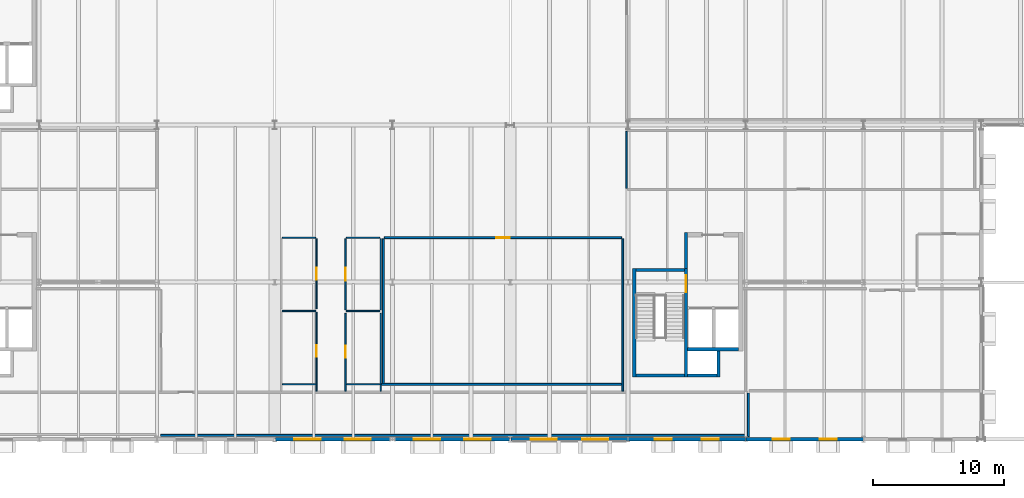
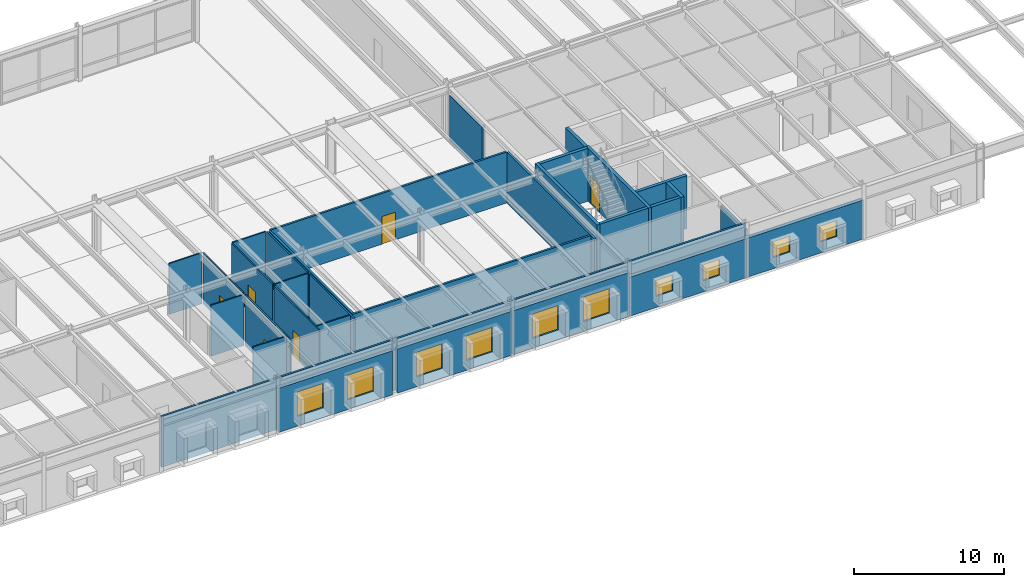
# One storey, part 105 of 115: 32 walls, 10 windows, 6 doors, 16 openings.
"""IFC4 building model written with IfcOpenShell, lengths in metres."""

from ifc_helpers import new_model, si_unit, direction, frame, frame_2d, origin, place, context, subcontext, project, spatial, rectangle, extrude, material, layer, layer_set, type_object, element, fill, save


model = new_model("IFC4")

# Units and contexts
model_context = context("Model", 3, precision=1e-05, world=origin(), true_north=direction((0.0, 1.0)))
body_context = subcontext(model_context, "Body", "Model", "MODEL_VIEW")
ifc_project = project(units=[si_unit("LENGTHUNIT", "METRE"), si_unit("AREAUNIT", "SQUARE_METRE"), si_unit("VOLUMEUNIT", "CUBIC_METRE"), si_unit("PLANEANGLEUNIT", "RADIAN"), si_unit("MASSUNIT", "GRAM", prefix="KILO")], contexts=[model_context])

# Site, building, storey
site_placement = place(None, origin())
site = spatial("IfcSite", under=ifc_project, at=site_placement, CompositionType="ELEMENT")
building_placement = place(site_placement, origin())
building = spatial("IfcBuilding", under=site, at=building_placement, Name="Montelvaro Courts of Justice", CompositionType="ELEMENT")
storey_placement = place(building_placement, frame((0.0, 0.0, 9.89990234375)))
storey = spatial("IfcBuildingStorey", under=building, at=storey_placement, Name="L02", CompositionType="ELEMENT", Elevation=9.89990234375)

# Walls
ifc_material_1 = material(Name="Gypsum board on metal stud")
ifc_layer_1 = layer(ifc_material_1, 0.14990234375)
ifc_layer_set_1 = layer_set([ifc_layer_1], Name="Gypsum board on metal stud")
wall_type_1 = type_object("IfcWallType", Name="ChambersPartition_150", PredefinedType="PARTITIONING", material=ifc_layer_set_1)
wall_1_placement = place(storey_placement, frame((117.199951171875, 3.52001953125, 0.0), z_axis=(0.0, 0.0, 1.0), x_axis=(0.0, -1.0, 0.0)))
element("IfcWall", 1, at=wall_1_placement, inside=storey, type_object=wall_type_1, Name="Interior Partition IW-04 (L02)", PredefinedType="PARTITIONING", context=body_context, shape_type="SweptSolid", body=[
    extrude(rectangle(XDim=3.322021484375, YDim=0.14990234375, at=frame_2d((1.6611328125, 0.0))), origin(), (0.0, 0.0, 1.0), 3.625),
])
wall_2_placement = place(storey_placement, frame((117.19189453125, 0.300048828125, 0.0), z_axis=(0.0, 0.0, 1.0), x_axis=(-1.0, 0.0, 0.0)))
element("IfcWall", 2, at=wall_2_placement, inside=storey, type_object=wall_type_1, Name="Interior Partition IW-04 (L02)", PredefinedType="PARTITIONING", context=body_context, shape_type="SweptSolid", body=[
    extrude(rectangle(XDim=44.912841796875, YDim=0.14990234375, at=frame_2d((22.45654296875, 0.0))), origin(), (0.0, 0.0, 1.0), 4.14013671875),
])
wall_3_placement = place(storey_placement, frame((107.60009765625, 15.320068359375, 0.0), z_axis=(0.0, 0.0, 1.0), x_axis=(0.0, -1.0, 0.0)))
element("IfcWall", 3, at=wall_3_placement, inside=storey, type_object=wall_type_1, Name="Interior Partition IW-04 (L02)", PredefinedType="PARTITIONING", context=body_context, shape_type="SweptSolid", body=[
    extrude(rectangle(XDim=11.650146484375, YDim=0.14990234375, at=frame_2d((5.8251953125, 0.0))), origin(), (0.0, 0.0, 1.0), 4.14013671875),
])
wall_4_placement = place(storey_placement, frame((107.530029296875, 4.199951171875, 0.0), z_axis=(0.0, 0.0, 1.0), x_axis=(-1.0, 0.0, 0.0)))
element("IfcWall", 4, at=wall_4_placement, inside=storey, type_object=wall_type_1, Name="Interior Partition IW-04 (L02)", PredefinedType="PARTITIONING", context=body_context, shape_type="SweptSolid", body=[
    extrude(rectangle(XDim=18.385009765625, YDim=0.14990234375, at=frame_2d((9.1923828125, 0.0))), origin(), (0.0, 0.0, 1.0), 4.14013671875),
])
wall_5_placement = place(storey_placement, frame((89.300048828125, 4.27001953125, 0.0), z_axis=(0.0, 0.0, 1.0), x_axis=(0.0, 1.0, 0.0)))
element("IfcWall", 5, at=wall_5_placement, inside=storey, type_object=wall_type_1, Name="Interior Partition IW-04 (L02)", PredefinedType="PARTITIONING", context=body_context, shape_type="SweptSolid", body=[
    extrude(rectangle(XDim=11.050048828125, YDim=0.14990234375, at=frame_2d((5.52490234375, 0.0))), origin(), (0.0, 0.0, 1.0), 4.14013671875),
])

# Wall, opening, door
wall_6_placement = place(storey_placement, frame((89.3798828125, 15.39990234375, 0.0), z_axis=(0.0, 0.0, 1.0), x_axis=(1.0, 0.0, 0.0)))
wall_6 = element("IfcWall", 6, at=wall_6_placement, inside=storey, type_object=wall_type_1, Name="Interior Partition IW-04 (L02)", PredefinedType="PARTITIONING", context=body_context, shape_type="SweptSolid", body=[
    extrude(rectangle(XDim=18.14013671875, YDim=0.14990234375, at=frame_2d((9.070068359375, 0.0))), origin(), (0.0, 0.0, 1.0), 4.14013671875),
])
opening_1_placement = place(wall_6_placement, frame((8.544921875, 0.0, 0.0)))
opening_1 = element("IfcOpeningElement", 7, at=opening_1_placement, cuts=wall_6, Name="Opening D-L02-106", PredefinedType="OPENING", context=body_context, shape_type="SweptSolid", body=[
    extrude(rectangle(XDim=1.050048828125, YDim=2.25, at=frame_2d((0.52490234375, 1.125))), frame((0.0, 0.08984375, 0.0), z_axis=(0.0, -1.0, 0.0), x_axis=(1.0, 0.0, 0.0)), (0.0, 0.0, 1.0), 0.1796875),
])
ifc_material_2 = material(Name="Acoustic oak timber veneer", Category="wood")
door_type_1 = type_object("IfcDoorType", Name="ChamberDoor_105x225", OperationType="NOTDEFINED", PredefinedType="DOOR", material=ifc_material_2)
door_1_placement = place(opening_1_placement, origin())
door_1 = element("IfcDoor", 8, at=door_1_placement, inside=storey, type_object=door_type_1, Name="Interior Door D-L02-106 (Civil Deliberation Room L02)", OperationType="SINGLE_SWING_LEFT", OverallHeight=2.25, OverallWidth=1.050048828125, PredefinedType="DOOR", context=body_context, shape_type="SweptSolid", body=[
    extrude(rectangle(XDim=1.050048828125, YDim=2.25, at=frame_2d((0.52490234375, 1.125))), frame((0.0, 0.02490234375, 0.0), z_axis=(0.0, -1.0, 0.0), x_axis=(1.0, 0.0, 0.0)), (0.0, 0.0, 1.0), 0.050048828125),
])
fill(opening_1, door_1)

# Wall, openings, windows
ifc_material_3 = material(Name="White mineral precast concrete C45/55", Category="concrete")
ifc_layer_2 = layer(ifc_material_3, 0.300048828125)
ifc_layer_set_2 = layer_set([ifc_layer_2], Name="White mineral precast concrete C45/55")
wall_type_2 = type_object("IfcWallType", Name="ExtWall_GFRC_300", PredefinedType="SOLIDWALL", material=ifc_layer_set_2)
wall_7_placement = place(storey_placement, frame((81.05810546875, 0.0, 0.0), z_axis=(0.0, 0.0, 1.0), x_axis=(1.0, 0.0, 0.0)))
wall_7 = element("IfcWall", 9, at=wall_7_placement, inside=storey, type_object=wall_type_2, Name="Exterior Facade Wall EW-02 (L02)", PredefinedType="SOLIDWALL", context=body_context, shape_type="SweptSolid", body=[
    extrude(rectangle(XDim=8.743896484375, YDim=0.300048828125, at=frame_2d((4.3720703125, 0.0))), origin(), (0.0, 0.0, 1.0), 3.585205078125),
])
opening_2_placement = place(wall_7_placement, frame((1.447998046875, 0.0, 0.800048828125)))
opening_2 = element("IfcOpeningElement", 10, at=opening_2_placement, cuts=wall_7, Name="Opening WE-11", PredefinedType="OPENING", context=body_context, shape_type="SweptSolid", body=[
    extrude(rectangle(XDim=2.0, YDim=2.0, at=frame_2d((1.0, 1.0))), frame((0.0, 0.1650390625, 0.0), z_axis=(0.0, -1.0, 0.0), x_axis=(1.0, 0.0, 0.0)), (0.0, 0.0, 1.0), 0.329833984375),
])
opening_3_placement = place(wall_7_placement, frame((5.2958984375, 0.0, 0.800048828125)))
opening_3 = element("IfcOpeningElement", 11, at=opening_3_placement, cuts=wall_7, Name="Opening WE-11", PredefinedType="OPENING", context=body_context, shape_type="SweptSolid", body=[
    extrude(rectangle(XDim=2.0, YDim=2.0, at=frame_2d((1.0, 1.0))), frame((0.0, 0.1650390625, 0.0), z_axis=(0.0, -1.0, 0.0), x_axis=(1.0, 0.0, 0.0)), (0.0, 0.0, 1.0), 0.329833984375),
])
ifc_material_4 = material(Name="Low-E solar control double glazing", Category="glass")
window_type_1 = type_object("IfcWindowType", Name="Win_Sq_200x200", PartitioningType="SINGLE_PANEL", PredefinedType="WINDOW", material=ifc_material_4)
window_1_placement = place(opening_2_placement, origin())
window_1 = element("IfcWindow", 12, at=window_1_placement, inside=storey, type_object=window_type_1, Name="Window W-L02-121", OverallHeight=2.0, OverallWidth=2.0, PartitioningType="SINGLE_PANEL", PredefinedType="WINDOW", context=body_context, shape_type="SweptSolid", body=[
    extrude(rectangle(XDim=2.0, YDim=2.0, at=frame_2d((1.0, 1.0))), frame((0.0, 0.030029296875, 0.0), z_axis=(0.0, -1.0, 0.0), x_axis=(1.0, 0.0, 0.0)), (0.0, 0.0, 1.0), 0.06005859375),
])
fill(opening_2, window_1)
window_2_placement = place(opening_3_placement, origin())
window_2 = element("IfcWindow", 13, at=window_2_placement, inside=storey, type_object=window_type_1, Name="Window W-L02-122", OverallHeight=2.0, OverallWidth=2.0, PartitioningType="SINGLE_PANEL", PredefinedType="WINDOW", context=body_context, shape_type="SweptSolid", body=[
    extrude(rectangle(XDim=2.0, YDim=2.0, at=frame_2d((1.0, 1.0))), frame((0.0, 0.030029296875, 0.0), z_axis=(0.0, -1.0, 0.0), x_axis=(1.0, 0.0, 0.0)), (0.0, 0.0, 1.0), 0.06005859375),
])
fill(opening_3, window_2)

wall_8_placement = place(storey_placement, frame((90.197998046875, 0.0, 0.0), z_axis=(0.0, 0.0, 1.0), x_axis=(1.0, 0.0, 0.0)))
wall_8 = element("IfcWall", 14, at=wall_8_placement, inside=storey, type_object=wall_type_2, Name="Exterior Facade Wall EW-02 (L02)", PredefinedType="SOLIDWALL", context=body_context, shape_type="SweptSolid", body=[
    extrude(rectangle(XDim=8.743896484375, YDim=0.300048828125, at=frame_2d((4.3720703125, 0.0))), origin(), (0.0, 0.0, 1.0), 3.585205078125),
])
opening_4_placement = place(wall_8_placement, frame((1.447998046875, 0.0, 0.800048828125)))
opening_4 = element("IfcOpeningElement", 15, at=opening_4_placement, cuts=wall_8, Name="Opening WE-11", PredefinedType="OPENING", context=body_context, shape_type="SweptSolid", body=[
    extrude(rectangle(XDim=2.0, YDim=2.0, at=frame_2d((1.0, 1.0))), frame((0.0, 0.1650390625, 0.0), z_axis=(0.0, -1.0, 0.0), x_axis=(1.0, 0.0, 0.0)), (0.0, 0.0, 1.0), 0.329833984375),
])
opening_5_placement = place(wall_8_placement, frame((5.2958984375, 0.0, 0.800048828125)))
opening_5 = element("IfcOpeningElement", 16, at=opening_5_placement, cuts=wall_8, Name="Opening WE-11", PredefinedType="OPENING", context=body_context, shape_type="SweptSolid", body=[
    extrude(rectangle(XDim=2.0, YDim=2.0, at=frame_2d((1.0, 1.0))), frame((0.0, 0.1650390625, 0.0), z_axis=(0.0, -1.0, 0.0), x_axis=(1.0, 0.0, 0.0)), (0.0, 0.0, 1.0), 0.329833984375),
])
window_3_placement = place(opening_4_placement, origin())
window_3 = element("IfcWindow", 17, at=window_3_placement, inside=storey, type_object=window_type_1, Name="Window W-L02-123", OverallHeight=2.0, OverallWidth=2.0, PartitioningType="SINGLE_PANEL", PredefinedType="WINDOW", context=body_context, shape_type="SweptSolid", body=[
    extrude(rectangle(XDim=2.0, YDim=2.0, at=frame_2d((1.0, 1.0))), frame((0.0, 0.030029296875, 0.0), z_axis=(0.0, -1.0, 0.0), x_axis=(1.0, 0.0, 0.0)), (0.0, 0.0, 1.0), 0.06005859375),
])
fill(opening_4, window_3)
window_4_placement = place(opening_5_placement, origin())
window_4 = element("IfcWindow", 18, at=window_4_placement, inside=storey, type_object=window_type_1, Name="Window W-L02-124", OverallHeight=2.0, OverallWidth=2.0, PartitioningType="SINGLE_PANEL", PredefinedType="WINDOW", context=body_context, shape_type="SweptSolid", body=[
    extrude(rectangle(XDim=2.0, YDim=2.0, at=frame_2d((1.0, 1.0))), frame((0.0, 0.030029296875, 0.0), z_axis=(0.0, -1.0, 0.0), x_axis=(1.0, 0.0, 0.0)), (0.0, 0.0, 1.0), 0.06005859375),
])
fill(opening_5, window_4)

wall_9_placement = place(storey_placement, frame((99.05810546875, 0.0, 0.0), z_axis=(0.0, 0.0, 1.0), x_axis=(1.0, 0.0, 0.0)))
wall_9 = element("IfcWall", 19, at=wall_9_placement, inside=storey, type_object=wall_type_2, Name="Exterior Facade Wall EW-02 (L02)", PredefinedType="SOLIDWALL", context=body_context, shape_type="SweptSolid", body=[
    extrude(rectangle(XDim=8.933837890625, YDim=0.300048828125, at=frame_2d((4.466796875, 0.0))), origin(), (0.0, 0.0, 1.0), 3.585205078125),
])
opening_6_placement = place(wall_9_placement, frame((1.501953125, 0.0, 0.800048828125)))
opening_6 = element("IfcOpeningElement", 20, at=opening_6_placement, cuts=wall_9, Name="Opening WE-11", PredefinedType="OPENING", context=body_context, shape_type="SweptSolid", body=[
    extrude(rectangle(XDim=2.0, YDim=2.0, at=frame_2d((1.0, 1.0))), frame((0.0, 0.1650390625, 0.0), z_axis=(0.0, -1.0, 0.0), x_axis=(1.0, 0.0, 0.0)), (0.0, 0.0, 1.0), 0.329833984375),
])
opening_7_placement = place(wall_9_placement, frame((5.431884765625, 0.0, 0.800048828125)))
opening_7 = element("IfcOpeningElement", 21, at=opening_7_placement, cuts=wall_9, Name="Opening WE-11", PredefinedType="OPENING", context=body_context, shape_type="SweptSolid", body=[
    extrude(rectangle(XDim=2.0, YDim=2.0, at=frame_2d((1.0, 1.0))), frame((0.0, 0.1650390625, 0.0), z_axis=(0.0, -1.0, 0.0), x_axis=(1.0, 0.0, 0.0)), (0.0, 0.0, 1.0), 0.329833984375),
])
window_5_placement = place(opening_6_placement, origin())
window_5 = element("IfcWindow", 22, at=window_5_placement, inside=storey, type_object=window_type_1, Name="Window W-L02-125", OverallHeight=2.0, OverallWidth=2.0, PartitioningType="SINGLE_PANEL", PredefinedType="WINDOW", context=body_context, shape_type="SweptSolid", body=[
    extrude(rectangle(XDim=2.0, YDim=2.0, at=frame_2d((1.0, 1.0))), frame((0.0, 0.030029296875, 0.0), z_axis=(0.0, -1.0, 0.0), x_axis=(1.0, 0.0, 0.0)), (0.0, 0.0, 1.0), 0.06005859375),
])
fill(opening_6, window_5)
window_6_placement = place(opening_7_placement, origin())
window_6 = element("IfcWindow", 23, at=window_6_placement, inside=storey, type_object=window_type_1, Name="Window W-L02-126", OverallHeight=2.0, OverallWidth=2.0, PartitioningType="SINGLE_PANEL", PredefinedType="WINDOW", context=body_context, shape_type="SweptSolid", body=[
    extrude(rectangle(XDim=2.0, YDim=2.0, at=frame_2d((1.0, 1.0))), frame((0.0, 0.030029296875, 0.0), z_axis=(0.0, -1.0, 0.0), x_axis=(1.0, 0.0, 0.0)), (0.0, 0.0, 1.0), 0.06005859375),
])
fill(opening_7, window_6)

wall_10_placement = place(storey_placement, frame((108.008056640625, 0.0, 0.0), z_axis=(0.0, 0.0, 1.0), x_axis=(1.0, 0.0, 0.0)))
wall_10 = element("IfcWall", 24, at=wall_10_placement, inside=storey, type_object=wall_type_2, Name="Exterior Facade Wall EW-02 (L02)", PredefinedType="SOLIDWALL", context=body_context, shape_type="SweptSolid", body=[
    extrude(rectangle(XDim=8.98388671875, YDim=0.300048828125, at=frame_2d((4.491943359375, 0.0))), origin(), (0.0, 0.0, 1.0), 3.1669921875),
])
opening_8_placement = place(wall_10_placement, frame((2.044921875, 0.0, 0.89990234375)))
opening_8 = element("IfcOpeningElement", 25, at=opening_8_placement, cuts=wall_10, Name="Opening WE-18", PredefinedType="OPENING", context=body_context, shape_type="SweptSolid", body=[
    extrude(rectangle(XDim=1.300048828125, YDim=1.300048828125, at=frame_2d((0.64990234375, 0.64990234375))), frame((0.0, 0.1650390625, 0.0), z_axis=(0.0, -1.0, 0.0), x_axis=(1.0, 0.0, 0.0)), (0.0, 0.0, 1.0), 0.329833984375),
])
opening_9_placement = place(wall_10_placement, frame((5.638916015625, 0.0, 0.89990234375)))
opening_9 = element("IfcOpeningElement", 26, at=opening_9_placement, cuts=wall_10, Name="Opening WE-18", PredefinedType="OPENING", context=body_context, shape_type="SweptSolid", body=[
    extrude(rectangle(XDim=1.300048828125, YDim=1.300048828125, at=frame_2d((0.64990234375, 0.64990234375))), frame((0.0, 0.1650390625, 0.0), z_axis=(0.0, -1.0, 0.0), x_axis=(1.0, 0.0, 0.0)), (0.0, 0.0, 1.0), 0.329833984375),
])
window_type_2 = type_object("IfcWindowType", Name="Win_Sq_130x130", PartitioningType="SINGLE_PANEL", PredefinedType="WINDOW", material=ifc_material_4)
window_7_placement = place(opening_8_placement, origin())
window_7 = element("IfcWindow", 27, at=window_7_placement, inside=storey, type_object=window_type_2, Name="Window W-L02-127", OverallHeight=1.300048828125, OverallWidth=1.300048828125, PartitioningType="SINGLE_PANEL", PredefinedType="WINDOW", context=body_context, shape_type="SweptSolid", body=[
    extrude(rectangle(XDim=1.300048828125, YDim=1.300048828125, at=frame_2d((0.64990234375, 0.64990234375))), frame((0.0, 0.030029296875, 0.0), z_axis=(0.0, -1.0, 0.0), x_axis=(1.0, 0.0, 0.0)), (0.0, 0.0, 1.0), 0.06005859375),
])
fill(opening_8, window_7)
window_8_placement = place(opening_9_placement, origin())
window_8 = element("IfcWindow", 28, at=window_8_placement, inside=storey, type_object=window_type_2, Name="Window W-L02-128", OverallHeight=1.300048828125, OverallWidth=1.300048828125, PartitioningType="SINGLE_PANEL", PredefinedType="WINDOW", context=body_context, shape_type="SweptSolid", body=[
    extrude(rectangle(XDim=1.300048828125, YDim=1.300048828125, at=frame_2d((0.64990234375, 0.64990234375))), frame((0.0, 0.030029296875, 0.0), z_axis=(0.0, -1.0, 0.0), x_axis=(1.0, 0.0, 0.0)), (0.0, 0.0, 1.0), 0.06005859375),
])
fill(opening_9, window_8)

wall_11_placement = place(storey_placement, frame((117.008056640625, 0.0, 0.0), z_axis=(0.0, 0.0, 1.0), x_axis=(1.0, 0.0, 0.0)))
wall_11 = element("IfcWall", 29, at=wall_11_placement, inside=storey, type_object=wall_type_2, Name="Exterior Facade Wall EW-02 (L02)", PredefinedType="SOLIDWALL", context=body_context, shape_type="SweptSolid", body=[
    extrude(rectangle(XDim=8.98388671875, YDim=0.300048828125, at=frame_2d((4.491943359375, 0.0))), origin(), (0.0, 0.0, 1.0), 3.1669921875),
])
opening_10_placement = place(wall_11_placement, frame((2.044921875, 0.0, 0.89990234375)))
opening_10 = element("IfcOpeningElement", 30, at=opening_10_placement, cuts=wall_11, Name="Opening WE-18", PredefinedType="OPENING", context=body_context, shape_type="SweptSolid", body=[
    extrude(rectangle(XDim=1.300048828125, YDim=1.300048828125, at=frame_2d((0.64990234375, 0.64990234375))), frame((0.0, 0.1650390625, 0.0), z_axis=(0.0, -1.0, 0.0), x_axis=(1.0, 0.0, 0.0)), (0.0, 0.0, 1.0), 0.329833984375),
])
opening_11_placement = place(wall_11_placement, frame((5.638916015625, 0.0, 0.89990234375)))
opening_11 = element("IfcOpeningElement", 31, at=opening_11_placement, cuts=wall_11, Name="Opening WE-18", PredefinedType="OPENING", context=body_context, shape_type="SweptSolid", body=[
    extrude(rectangle(XDim=1.300048828125, YDim=1.300048828125, at=frame_2d((0.64990234375, 0.64990234375))), frame((0.0, 0.1650390625, 0.0), z_axis=(0.0, -1.0, 0.0), x_axis=(1.0, 0.0, 0.0)), (0.0, 0.0, 1.0), 0.329833984375),
])
window_9_placement = place(opening_10_placement, origin())
window_9 = element("IfcWindow", 32, at=window_9_placement, inside=storey, type_object=window_type_2, Name="Window W-L02-129", OverallHeight=1.300048828125, OverallWidth=1.300048828125, PartitioningType="SINGLE_PANEL", PredefinedType="WINDOW", context=body_context, shape_type="SweptSolid", body=[
    extrude(rectangle(XDim=1.300048828125, YDim=1.300048828125, at=frame_2d((0.64990234375, 0.64990234375))), frame((0.0, 0.030029296875, 0.0), z_axis=(0.0, -1.0, 0.0), x_axis=(1.0, 0.0, 0.0)), (0.0, 0.0, 1.0), 0.06005859375),
])
fill(opening_10, window_9)
window_10_placement = place(opening_11_placement, origin())
window_10 = element("IfcWindow", 33, at=window_10_placement, inside=storey, type_object=window_type_2, Name="Window W-L02-130", OverallHeight=1.300048828125, OverallWidth=1.300048828125, PartitioningType="SINGLE_PANEL", PredefinedType="WINDOW", context=body_context, shape_type="SweptSolid", body=[
    extrude(rectangle(XDim=1.300048828125, YDim=1.300048828125, at=frame_2d((0.64990234375, 0.64990234375))), frame((0.0, 0.030029296875, 0.0), z_axis=(0.0, -1.0, 0.0), x_axis=(1.0, 0.0, 0.0)), (0.0, 0.0, 1.0), 0.06005859375),
])
fill(opening_11, window_10)

# Walls
ifc_layer_3 = layer(ifc_material_1, 0.1201171875)
ifc_layer_set_3 = layer_set([ifc_layer_3], Name="Gypsum board on metal stud")
wall_type_3 = type_object("IfcWallType", Name="OfficePartition_120", PredefinedType="PARTITIONING", material=ifc_layer_set_3)
wall_12_placement = place(storey_placement, frame((107.89990234375, 19.179931640625, 0.0), z_axis=(0.0, 0.0, 1.0), x_axis=(0.0, 1.0, 0.0)))
element("IfcWall", 34, at=wall_12_placement, inside=storey, type_object=wall_type_3, Name="Interior Partition IW-05 (L02)", PredefinedType="PARTITIONING", context=body_context, shape_type="SweptSolid", body=[
    extrude(rectangle(XDim=4.340087890625, YDim=0.1201171875, at=frame_2d((2.169921875, 0.0))), origin(), (0.0, 0.0, 1.0), 3.68505859375),
])
ifc_material_5 = material(Name="Concrete C35/45", Category="concrete")
ifc_layer_4 = layer(ifc_material_5, 0.239990234375)
ifc_layer_set_4 = layer_set([ifc_layer_4], Name="Concrete C35/45")
wall_type_4 = type_object("IfcWallType", Name="ShaftWall_240", PredefinedType="SHEAR", material=ifc_layer_set_4)
wall_13_placement = place(storey_placement, frame((108.47998046875, 4.760009765625, 0.0), z_axis=(0.0, 0.0, 1.0), x_axis=(0.0, 1.0, 0.0)))
element("IfcWall", 35, at=wall_13_placement, inside=storey, type_object=wall_type_4, Name="Protected Stair Structural Wall ST-K2-W (L02)", PredefinedType="SHEAR", context=body_context, shape_type="SweptSolid", body=[
    extrude(rectangle(XDim=8.280029296875, YDim=0.239990234375, at=frame_2d((4.14013671875, 0.0))), origin(), (0.0, 0.0, 1.0), 4.31005859375),
])

# Wall, opening, door
wall_14_placement = place(storey_placement, frame((112.419921875, 4.760009765625, 0.0), z_axis=(0.0, 0.0, 1.0), x_axis=(0.0, 1.0, 0.0)))
wall_14 = element("IfcWall", 36, at=wall_14_placement, inside=storey, type_object=wall_type_4, Name="Protected Stair Structural Wall ST-K2-E (L02)", PredefinedType="SHEAR", context=body_context, shape_type="SweptSolid", body=[
    extrude(rectangle(XDim=8.280029296875, YDim=0.239990234375, at=frame_2d((4.14013671875, 0.0))), origin(), (0.0, 0.0, 1.0), 4.31005859375),
])
opening_12_placement = place(wall_14_placement, frame((6.489990234375, 0.0, 0.0)))
opening_12 = element("IfcOpeningElement", 37, at=opening_12_placement, cuts=wall_14, Name="Opening DS-L02-K2", PredefinedType="OPENING", context=body_context, shape_type="SweptSolid", body=[
    extrude(rectangle(XDim=1.300048828125, YDim=2.199951171875, at=frame_2d((0.64990234375, 1.10009765625))), frame((0.0, 0.134765625, 0.0), z_axis=(0.0, -1.0, 0.0), x_axis=(1.0, 0.0, 0.0)), (0.0, 0.0, 1.0), 0.269775390625),
])
ifc_material_6 = material(Name="Galvanised steel S355 security door", Category="steel")
door_type_2 = type_object("IfcDoorType", Name="StairFireDoor_130x220", OperationType="NOTDEFINED", PredefinedType="DOOR", material=ifc_material_6)
door_2_placement = place(opening_12_placement, frame((1.300048828125, 0.0, 0.0), z_axis=(0.0, 0.0, 1.0), x_axis=(-1.0, 0.0, 0.0)))
door_2 = element("IfcDoor", 38, at=door_2_placement, inside=storey, type_object=door_type_2, Name="Protected Stair Fire Door DS-L02-K2", OperationType="SINGLE_SWING_RIGHT", OverallHeight=2.199951171875, OverallWidth=1.300048828125, PredefinedType="DOOR", context=body_context, shape_type="SweptSolid", body=[
    extrude(rectangle(XDim=1.300048828125, YDim=2.199951171875, at=frame_2d((0.64990234375, 1.10009765625))), frame((0.0, 0.02490234375, 0.0), z_axis=(0.0, -1.0, 0.0), x_axis=(1.0, 0.0, 0.0)), (0.0, 0.0, 1.0), 0.050048828125),
])
fill(opening_12, door_2)

# Walls
for number, where, z_axis, x_axis, name in (
    (39, (108.60009765625, 4.8798828125, 0.0), (0.0, 0.0, 1.0), (1.0, 0.0, 0.0), "Protected Stair Structural Wall ST-K2-S (L02)"),
    (40, (108.60009765625, 12.919921875, 0.0), (0.0, 0.0, 1.0), (1.0, 0.0, 0.0), "Protected Stair Structural Wall ST-K2-N (L02)"),
):
    element("IfcWall", number, at=place(storey_placement, frame(where, z_axis=z_axis, x_axis=x_axis)), inside=storey, type_object=wall_type_4, Name=name, PredefinedType="SHEAR", context=body_context, shape_type="SweptSolid", body=[
        extrude(rectangle(XDim=3.699951171875, YDim=0.239990234375, at=frame_2d((1.85009765625, 0.0))), origin(), (0.0, 0.0, 1.0), 4.31005859375),
    ])
wall_15_placement = place(storey_placement, frame((112.419921875, 13.0400390625, 0.0), z_axis=(0.0, 0.0, 1.0), x_axis=(0.0, 1.0, 0.0)))
element("IfcWall", 41, at=wall_15_placement, inside=storey, type_object=wall_type_4, Name="Core Lobby Structural Wall K2-W (L02)", PredefinedType="SHEAR", context=body_context, shape_type="SweptSolid", body=[
    extrude(rectangle(XDim=2.760009765625, YDim=0.239990234375, at=frame_2d((1.3798828125, 0.0))), origin(), (0.0, 0.0, 1.0), 4.16015625),
])
wall_16_placement = place(storey_placement, frame((112.5400390625, 6.8798828125, 0.0), z_axis=(0.0, 0.0, 1.0), x_axis=(1.0, 0.0, 0.0)))
element("IfcWall", 42, at=wall_16_placement, inside=storey, type_object=wall_type_4, Name="Lift Shaft Back Wall K2 (L02)", PredefinedType="SHEAR", context=body_context, shape_type="SweptSolid", body=[
    extrude(rectangle(XDim=3.89990234375, YDim=0.239990234375, at=frame_2d((1.949951171875, 0.0))), origin(), (0.0, 0.0, 1.0), 4.31005859375),
])
wall_17_placement = place(storey_placement, frame((114.919921875, 4.760009765625, 0.0), z_axis=(0.0, 0.0, 1.0), x_axis=(0.0, 1.0, 0.0)))
element("IfcWall", 43, at=wall_17_placement, inside=storey, type_object=wall_type_4, Name="Service Riser East Shaft Wall K2 (L02)", PredefinedType="SHEAR", context=body_context, shape_type="SweptSolid", body=[
    extrude(rectangle(XDim=2.0, YDim=0.239990234375, at=frame_2d((1.0, 0.0))), origin(), (0.0, 0.0, 1.0), 4.31005859375),
])
wall_18_placement = place(storey_placement, frame((112.5400390625, 4.8798828125, 0.0), z_axis=(0.0, 0.0, 1.0), x_axis=(1.0, 0.0, 0.0)))
element("IfcWall", 44, at=wall_18_placement, inside=storey, type_object=wall_type_4, Name="Service Riser South Shaft Wall K2 (L02)", PredefinedType="SHEAR", context=body_context, shape_type="SweptSolid", body=[
    extrude(rectangle(XDim=2.260009765625, YDim=0.239990234375, at=frame_2d((1.1298828125, 0.0))), origin(), (0.0, 0.0, 1.0), 4.31005859375),
])

# Wall, opening, door
ifc_material_7 = material(Name="Moisture-resistant cement board")
ifc_layer_5 = layer(ifc_material_7, 0.10009765625)
ifc_layer_set_5 = layer_set([ifc_layer_5], Name="Moisture-resistant cement board")
wall_type_5 = type_object("IfcWallType", Name="WetWall_100", PredefinedType="PARTITIONING", material=ifc_layer_set_5)
wall_19_placement = place(storey_placement, frame((84.199951171875, 9.719970703125, 0.0), z_axis=(0.0, 0.0, 1.0), x_axis=(0.0, -1.0, 0.0)))
wall_19 = element("IfcWall", 45, at=wall_19_placement, inside=storey, type_object=wall_type_5, Name="Interior Partition IW-06 (L02)", PredefinedType="PARTITIONING", context=body_context, shape_type="SweptSolid", body=[
    extrude(rectangle(XDim=6.050048828125, YDim=0.10009765625, at=frame_2d((3.02490234375, 0.0))), origin(), (0.0, 0.0, 1.0), 4.14013671875),
])
opening_13_placement = place(wall_19_placement, frame((2.529052734375, 0.0, 0.0)))
opening_13 = element("IfcOpeningElement", 46, at=opening_13_placement, cuts=wall_19, Name="Opening D-L02-102", PredefinedType="OPENING", context=body_context, shape_type="SweptSolid", body=[
    extrude(rectangle(XDim=0.89990234375, YDim=2.050048828125, at=frame_2d((0.449951171875, 1.02490234375))), frame((0.0, 0.06494140625, 0.0), z_axis=(0.0, -1.0, 0.0), x_axis=(1.0, 0.0, 0.0)), (0.0, 0.0, 1.0), 0.1298828125),
])
door_type_3 = type_object("IfcDoorType", Name="RestroomDoor_090x205", OperationType="NOTDEFINED", PredefinedType="DOOR", material=ifc_material_2)
door_3_placement = place(opening_13_placement, origin())
door_3 = element("IfcDoor", 47, at=door_3_placement, inside=storey, type_object=door_type_3, Name="Interior Door D-L02-102 (Second Floor Male Restroom)", OperationType="SINGLE_SWING_LEFT", OverallHeight=2.050048828125, OverallWidth=0.89990234375, PredefinedType="DOOR", context=body_context, shape_type="SweptSolid", body=[
    extrude(rectangle(XDim=0.89990234375, YDim=2.050048828125, at=frame_2d((0.449951171875, 1.02490234375))), frame((0.0, 0.02490234375, 0.0), z_axis=(0.0, -1.0, 0.0), x_axis=(1.0, 0.0, 0.0)), (0.0, 0.0, 1.0), 0.050048828125),
])
fill(opening_13, door_3)

# Walls
wall_20_placement = place(storey_placement, frame((84.155029296875, 4.199951171875, 0.0), z_axis=(0.0, 0.0, 1.0), x_axis=(-1.0, 0.0, 0.0)))
element("IfcWall", 48, at=wall_20_placement, inside=storey, type_object=wall_type_5, Name="Interior Partition IW-06 (L02)", PredefinedType="PARTITIONING", context=body_context, shape_type="SweptSolid", body=[
    extrude(rectangle(XDim=2.574951171875, YDim=0.10009765625, at=frame_2d((1.28759765625, 0.0))), origin(), (0.0, 0.0, 1.0), 4.14013671875),
])
for number, where, z_axis, x_axis, name in (
    (49, (81.580078125, 9.800048828125, 0.0), (0.0, 0.0, 1.0), (1.0, 0.0, 0.0), "Interior Partition IW-06 (L02)"),
    (50, (81.580078125, 15.39990234375, 0.0), (0.0, 0.0, 1.0), (1.0, 0.0, 0.0), "Interior Partition IW-06 (L02)"),
):
    element("IfcWall", number, at=place(storey_placement, frame(where, z_axis=z_axis, x_axis=x_axis)), inside=storey, type_object=wall_type_5, Name=name, PredefinedType="PARTITIONING", context=body_context, shape_type="SweptSolid", body=[
        extrude(rectangle(XDim=2.5400390625, YDim=0.10009765625, at=frame_2d((1.27001953125, 0.0))), origin(), (0.0, 0.0, 1.0), 4.14013671875),
    ])

# Wall, opening, door
wall_21_placement = place(storey_placement, frame((84.199951171875, 15.320068359375, 0.0), z_axis=(0.0, 0.0, 1.0), x_axis=(0.0, -1.0, 0.0)))
wall_21 = element("IfcWall", 51, at=wall_21_placement, inside=storey, type_object=wall_type_5, Name="Interior Partition IW-06 (L02)", PredefinedType="PARTITIONING", context=body_context, shape_type="SweptSolid", body=[
    extrude(rectangle(XDim=5.340087890625, YDim=0.10009765625, at=frame_2d((2.669921875, 0.0))), origin(), (0.0, 0.0, 1.0), 4.14013671875),
])
opening_14_placement = place(wall_21_placement, frame((2.219970703125, 0.0, 0.0)))
opening_14 = element("IfcOpeningElement", 52, at=opening_14_placement, cuts=wall_21, Name="Opening D-L02-103", PredefinedType="OPENING", context=body_context, shape_type="SweptSolid", body=[
    extrude(rectangle(XDim=0.89990234375, YDim=2.050048828125, at=frame_2d((0.449951171875, 1.02490234375))), frame((0.0, 0.06494140625, 0.0), z_axis=(0.0, -1.0, 0.0), x_axis=(1.0, 0.0, 0.0)), (0.0, 0.0, 1.0), 0.1298828125),
])
door_4_placement = place(opening_14_placement, frame((0.89990234375, 0.0, 0.0), z_axis=(0.0, 0.0, 1.0), x_axis=(-1.0, 0.0, 0.0)))
door_4 = element("IfcDoor", 53, at=door_4_placement, inside=storey, type_object=door_type_3, Name="Interior Door D-L02-103 (Second Floor Female Restroom)", OperationType="SINGLE_SWING_RIGHT", OverallHeight=2.050048828125, OverallWidth=0.89990234375, PredefinedType="DOOR", context=body_context, shape_type="SweptSolid", body=[
    extrude(rectangle(XDim=0.89990234375, YDim=2.050048828125, at=frame_2d((0.449951171875, 1.02490234375))), frame((0.0, 0.02490234375, 0.0), z_axis=(0.0, -1.0, 0.0), x_axis=(1.0, 0.0, 0.0)), (0.0, 0.0, 1.0), 0.050048828125),
])
fill(opening_14, door_4)

wall_22_placement = place(storey_placement, frame((86.39990234375, 9.8798828125, 0.0), z_axis=(0.0, 0.0, 1.0), x_axis=(0.0, 1.0, 0.0)))
wall_22 = element("IfcWall", 54, at=wall_22_placement, inside=storey, type_object=wall_type_5, Name="Interior Partition IW-06 (L02)", PredefinedType="PARTITIONING", context=body_context, shape_type="SweptSolid", body=[
    extrude(rectangle(XDim=5.440185546875, YDim=0.10009765625, at=frame_2d((2.72021484375, 0.0))), origin(), (0.0, 0.0, 1.0), 4.14013671875),
])
opening_15_placement = place(wall_22_placement, frame((2.219970703125, 0.0, 0.0)))
opening_15 = element("IfcOpeningElement", 55, at=opening_15_placement, cuts=wall_22, Name="Opening D-L02-104", PredefinedType="OPENING", context=body_context, shape_type="SweptSolid", body=[
    extrude(rectangle(XDim=1.0, YDim=2.10009765625, at=frame_2d((0.5, 1.050048828125))), frame((0.0, 0.06494140625, 0.0), z_axis=(0.0, -1.0, 0.0), x_axis=(1.0, 0.0, 0.0)), (0.0, 0.0, 1.0), 0.1298828125),
])
door_type_4 = type_object("IfcDoorType", Name="AccessibleWCDoor_100x210", OperationType="NOTDEFINED", PredefinedType="DOOR", material=ifc_material_2)
door_5_placement = place(opening_15_placement, origin())
door_5 = element("IfcDoor", 56, at=door_5_placement, inside=storey, type_object=door_type_4, Name="Interior Door D-L02-104 (Second Floor Accessible WC)", OperationType="SINGLE_SWING_LEFT", OverallHeight=2.10009765625, OverallWidth=1.0, PredefinedType="DOOR", context=body_context, shape_type="SweptSolid", body=[
    extrude(rectangle(XDim=1.0, YDim=2.10009765625, at=frame_2d((0.5, 1.050048828125))), frame((0.0, 0.02490234375, 0.0), z_axis=(0.0, -1.0, 0.0), x_axis=(1.0, 0.0, 0.0)), (0.0, 0.0, 1.0), 0.050048828125),
])
fill(opening_15, door_5)

# Walls
wall_23_placement = place(storey_placement, frame((86.47998046875, 15.39990234375, 0.0), z_axis=(0.0, 0.0, 1.0), x_axis=(1.0, 0.0, 0.0)))
element("IfcWall", 57, at=wall_23_placement, inside=storey, type_object=wall_type_5, Name="Interior Partition IW-06 (L02)", PredefinedType="PARTITIONING", context=body_context, shape_type="SweptSolid", body=[
    extrude(rectangle(XDim=2.5400390625, YDim=0.10009765625, at=frame_2d((1.27001953125, 0.0))), origin(), (0.0, 0.0, 1.0), 4.14013671875),
])
wall_24_placement = place(storey_placement, frame((89.10009765625, 15.320068359375, 0.0), z_axis=(0.0, 0.0, 1.0), x_axis=(0.0, -1.0, 0.0)))
element("IfcWall", 58, at=wall_24_placement, inside=storey, type_object=wall_type_5, Name="Interior Partition IW-06 (L02)", PredefinedType="PARTITIONING", context=body_context, shape_type="SweptSolid", body=[
    extrude(rectangle(XDim=5.440185546875, YDim=0.10009765625, at=frame_2d((2.72021484375, 0.0))), origin(), (0.0, 0.0, 1.0), 4.14013671875),
])
wall_25_placement = place(storey_placement, frame((89.02001953125, 9.800048828125, 0.0), z_axis=(0.0, 0.0, 1.0), x_axis=(-1.0, 0.0, 0.0)))
element("IfcWall", 59, at=wall_25_placement, inside=storey, type_object=wall_type_5, Name="Interior Partition IW-06 (L02)", PredefinedType="PARTITIONING", context=body_context, shape_type="SweptSolid", body=[
    extrude(rectangle(XDim=2.5400390625, YDim=0.10009765625, at=frame_2d((1.27001953125, 0.0))), origin(), (0.0, 0.0, 1.0), 4.14013671875),
])
wall_26_placement = place(storey_placement, frame((89.10009765625, 9.6201171875, 0.0), z_axis=(0.0, 0.0, 1.0), x_axis=(0.0, -1.0, 0.0)))
element("IfcWall", 60, at=wall_26_placement, inside=storey, type_object=wall_type_5, Name="Interior Partition IW-06 (L02)", PredefinedType="PARTITIONING", context=body_context, shape_type="SweptSolid", body=[
    extrude(rectangle(XDim=5.9501953125, YDim=0.10009765625, at=frame_2d((2.97509765625, 0.0))), origin(), (0.0, 0.0, 1.0), 4.14013671875),
])
wall_27_placement = place(storey_placement, frame((89.054931640625, 4.199951171875, 0.0), z_axis=(0.0, 0.0, 1.0), x_axis=(-1.0, 0.0, 0.0)))
element("IfcWall", 61, at=wall_27_placement, inside=storey, type_object=wall_type_5, Name="Interior Partition IW-06 (L02)", PredefinedType="PARTITIONING", context=body_context, shape_type="SweptSolid", body=[
    extrude(rectangle(XDim=2.574951171875, YDim=0.10009765625, at=frame_2d((1.28759765625, 0.0))), origin(), (0.0, 0.0, 1.0), 4.14013671875),
])

# Wall, opening, door
wall_28_placement = place(storey_placement, frame((86.39990234375, 3.669921875, 0.0), z_axis=(0.0, 0.0, 1.0), x_axis=(0.0, 1.0, 0.0)))
wall_28 = element("IfcWall", 62, at=wall_28_placement, inside=storey, type_object=wall_type_5, Name="Interior Partition IW-06 (L02)", PredefinedType="PARTITIONING", context=body_context, shape_type="SweptSolid", body=[
    extrude(rectangle(XDim=5.9501953125, YDim=0.10009765625, at=frame_2d((2.97509765625, 0.0))), origin(), (0.0, 0.0, 1.0), 4.14013671875),
])
opening_16_placement = place(wall_28_placement, frame((2.571044921875, 0.0, 0.0)))
opening_16 = element("IfcOpeningElement", 63, at=opening_16_placement, cuts=wall_28, Name="Opening D-L02-105", PredefinedType="OPENING", context=body_context, shape_type="SweptSolid", body=[
    extrude(rectangle(XDim=0.89990234375, YDim=2.050048828125, at=frame_2d((0.449951171875, 1.02490234375))), frame((0.0, 0.06494140625, 0.0), z_axis=(0.0, -1.0, 0.0), x_axis=(1.0, 0.0, 0.0)), (0.0, 0.0, 1.0), 0.1298828125),
])
door_6_placement = place(opening_16_placement, frame((0.89990234375, 0.0, 0.0), z_axis=(0.0, 0.0, 1.0), x_axis=(-1.0, 0.0, 0.0)))
door_6 = element("IfcDoor", 64, at=door_6_placement, inside=storey, type_object=door_type_3, Name="Interior Door D-L02-105 (Second Floor Cleaners' Store)", OperationType="SINGLE_SWING_RIGHT", OverallHeight=2.050048828125, OverallWidth=0.89990234375, PredefinedType="DOOR", context=body_context, shape_type="SweptSolid", body=[
    extrude(rectangle(XDim=0.89990234375, YDim=2.050048828125, at=frame_2d((0.449951171875, 1.02490234375))), frame((0.0, 0.02490234375, 0.0), z_axis=(0.0, -1.0, 0.0), x_axis=(1.0, 0.0, 0.0)), (0.0, 0.0, 1.0), 0.050048828125),
])
fill(opening_16, door_6)

save(model, "model.ifc")
